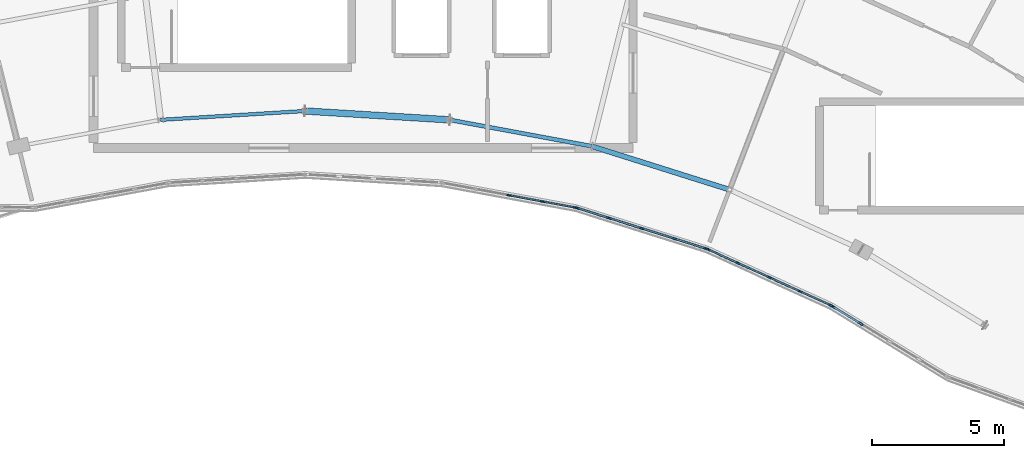
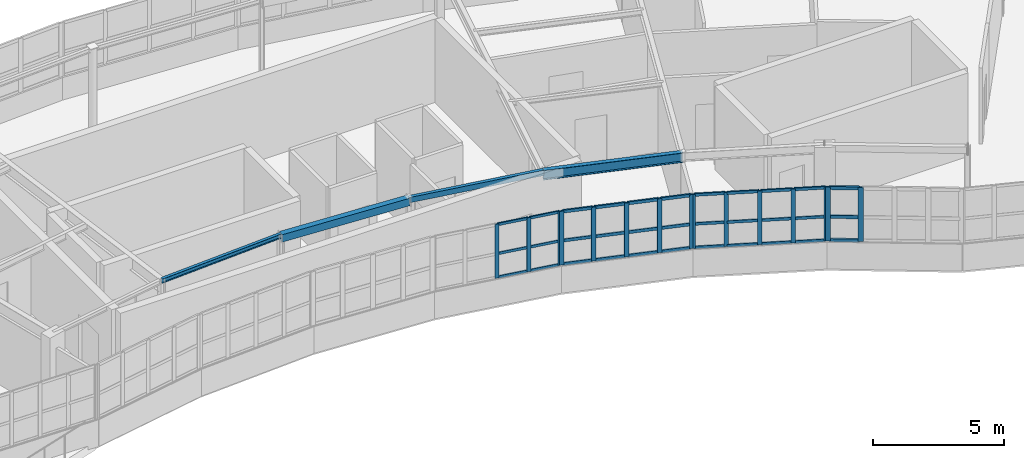
# One storey, part 9 of 26: 48 members, 4 beams, 4 elements without a shape of their own.
"""IFC4 building model written with IfcOpenShell, lengths in metres."""

from ifc_helpers import new_model, si_unit, direction, frame, origin, origin_2d, place, context, subcontext, project, spatial, rectangle, hollow_rectangle, i_section, extrude, material, layer, layer_set, material_profile, profile_set, type_object, element, aggregate, save


model = new_model("IFC4")

# Units and contexts
model_context = context("Model", 3, precision=1e-05, world=origin(), true_north=direction((0.0, 1.0)))
body_context = subcontext(model_context, "Body", "Model", "MODEL_VIEW")
ifc_project = project(units=[si_unit("LENGTHUNIT", "METRE"), si_unit("AREAUNIT", "SQUARE_METRE"), si_unit("VOLUMEUNIT", "CUBIC_METRE"), si_unit("PLANEANGLEUNIT", "RADIAN"), si_unit("MASSUNIT", "GRAM", prefix="KILO")], contexts=[model_context])

# Site, building, storey
site_placement = place(None, origin())
site = spatial("IfcSite", under=ifc_project, at=site_placement, CompositionType="ELEMENT")
building_placement = place(site_placement, origin())
building = spatial("IfcBuilding", under=site, at=building_placement, Name="Tarnwether General Hospital", CompositionType="ELEMENT")
storey_placement = place(building_placement, frame((0.0, 0.0, 30.0)))
storey = spatial("IfcBuildingStorey", under=building, at=storey_placement, Name="L07", CompositionType="ELEMENT", Elevation=30.0)

# Beams
ifc_material_1 = material(Name="Steel Grade 350 (350 MPa)", Category="steel")
ifc_material_profile_1 = material_profile(ifc_material_1, i_section(OverallWidth=0.18994140625, OverallDepth=0.4541015625, WebThickness=0.008544921875, FlangeThickness=0.0126953125, at=origin_2d()), Name="460UB67.1")
ifc_profile_set_1 = profile_set([ifc_material_profile_1], Name="Steel Grade 350 (350 MPa)")
beam_type_1 = type_object("IfcBeamType", Name="BM-SP1", PredefinedType="SPANDREL", material=ifc_profile_set_1)
beam_1_placement = place(storey_placement, frame((102.837890625, 106.468994140625, 3.673095703125), z_axis=(0.953712084488, -0.300721232874, 0.0), x_axis=(0.300721232874, 0.953712084488, 0.0)))
element("IfcBeam", 1, at=beam_1_placement, inside=storey, type_object=beam_type_1, Name="Curved Ward NW Inner Spandrel BMG-L07-10284_10647-10806_10482-2060", PredefinedType="SPANDREL", context=body_context, shape_type="SweptSolid", body=[
    extrude(i_section(OverallWidth=0.18994140625, OverallDepth=0.4541015625, WebThickness=0.008544921875, FlangeThickness=0.0126953125, at=origin_2d()), origin(), (0.0, 0.0, 1.0), 5.47021484375),
])
ifc_material_2 = material(Name="Steel Grade 350 (350 MPa)", Category="steel")
ifc_material_profile_2 = material_profile(ifc_material_2, i_section(OverallWidth=0.133056640625, OverallDepth=0.201904296875, WebThickness=0.0048828125, FlangeThickness=0.007080078125, at=origin_2d()), Name="200UB22.3")
ifc_profile_set_2 = profile_set([ifc_material_profile_2], Name="Steel Grade 350 (350 MPa)")
beam_type_2 = type_object("IfcBeamType", Name="BM-SP6", PredefinedType="SPANDREL", material=ifc_profile_set_2)
beam_2_placement = place(storey_placement, frame((86.5400390625, 107.466064453125, 3.799072265625), z_axis=(0.998134365538, 0.061055616708, 0.0), x_axis=(-0.061055616708, 0.998134365538, 0.0)))
element("IfcBeam", 2, at=beam_2_placement, inside=storey, type_object=beam_type_2, Name="Curved Ward NW Inner Spandrel BMG-L07-8654_10747-9200_10780-2054", PredefinedType="SPANDREL", context=body_context, shape_type="SweptSolid", body=[
    extrude(i_section(OverallWidth=0.133056640625, OverallDepth=0.201904296875, WebThickness=0.0048828125, FlangeThickness=0.007080078125, at=origin_2d()), origin(), (0.0, 0.0, 1.0), 5.47021484375),
])
ifc_material_3 = material(Name="Steel Grade C350L0 (350 MPa)", Category="steel")
ifc_material_profile_3 = material_profile(ifc_material_3, hollow_rectangle(XDim=0.25, YDim=0.35009765625, WallThickness=0.012451171875, at=origin_2d()), Name="RHS350x250x12.5")
ifc_profile_set_3 = profile_set([ifc_material_profile_3], Name="Steel Grade C350L0 (350 MPa)")
beam_type_3 = type_object("IfcBeamType", Name="BM-SP7", PredefinedType="SPANDREL", material=ifc_profile_set_3)
beam_3_placement = place(storey_placement, frame((92.0, 107.800048828125, 3.72509765625), z_axis=(0.998134365538, -0.061055616708, 0.0), x_axis=(0.061055616708, 0.998134365538, 0.0)))
element("IfcBeam", 3, at=beam_3_placement, inside=storey, type_object=beam_type_3, Name="Curved Ward NW Inner Spandrel BMG-L07-9200_10780-9746_10747-2056", PredefinedType="SPANDREL", context=body_context, shape_type="SweptSolid", body=[
    extrude(hollow_rectangle(XDim=0.25, YDim=0.35009765625, WallThickness=0.012451171875, at=origin_2d()), origin(), (0.0, 0.0, 1.0), 5.47021484375),
])
ifc_material_4 = material(Name="Steel Grade C350L0 (350 MPa)", Category="steel")
ifc_material_profile_4 = material_profile(ifc_material_4, hollow_rectangle(XDim=0.14990234375, YDim=0.25, WallThickness=0.008056640625, at=origin_2d()), Name="RHS250x150x8")
ifc_profile_set_4 = profile_set([ifc_material_profile_4], Name="Steel Grade C350L0 (350 MPa)")
beam_type_4 = type_object("IfcBeamType", Name="BM-SP8", PredefinedType="SPANDREL", material=ifc_profile_set_4)
beam_4_placement = place(storey_placement, frame((97.4599609375, 107.466064453125, 3.77490234375), z_axis=(0.983244096291, -0.18229384825, 0.0), x_axis=(0.18229384825, 0.983244096291, 0.0)))
element("IfcBeam", 4, at=beam_4_placement, inside=storey, type_object=beam_type_4, Name="Curved Ward NW Inner Spandrel BMG-L07-9746_10747-10284_10647-2058", PredefinedType="SPANDREL", context=body_context, shape_type="SweptSolid", body=[
    extrude(hollow_rectangle(XDim=0.14990234375, YDim=0.25, WallThickness=0.008056640625, at=origin_2d()), origin(), (0.0, 0.0, 1.0), 5.469482421875),
])

# Curtain wall, members
ifc_material_5 = material(Name="Anodised aluminium", Category="aluminium")
ifc_layer = layer(ifc_material_5, 0.159912109375)
ifc_layer_set = layer_set([ifc_layer], Name="Anodised aluminium")
curtain_wall_type = type_object("IfcCurtainWallType", Name="CW-03", PredefinedType="NOTDEFINED", material=ifc_layer_set)
curtain_wall_1_placement = place(storey_placement, origin())
curtain_wall_1 = element("IfcCurtainWall", 5, at=curtain_wall_1_placement, inside=storey, type_object=curtain_wall_type, Name="Curtain Wall CWG-L07-1023_1041-0136", PredefinedType="NOTDEFINED")
ifc_material_6 = material(Name="Anodised aluminium", Category="aluminium")
ifc_material_profile_5 = material_profile(ifc_material_6, rectangle(XDim=0.06005859375, YDim=0.159912109375, at=origin_2d()), Name="ALU-MUL-60x160")
ifc_profile_set_5 = profile_set([ifc_material_profile_5], Name="Anodised aluminium")
member_type_1 = type_object("IfcMemberType", Name="CW-ML1", PredefinedType="MULLION", material=ifc_profile_set_5)
member_1_placement = place(storey_placement, frame((102.2275390625, 104.146484375, 1.050048828125), z_axis=(0.0, 0.0, 1.0), x_axis=(-0.182165351666, -0.983267910924, 0.0)))
member_1 = element("IfcMember", 6, at=member_1_placement, type_object=member_type_1, Name="CW-03 mullion 1", PredefinedType="MULLION", context=body_context, shape_type="SweptSolid", body=[
    extrude(rectangle(XDim=0.06005859375, YDim=0.159912109375, at=origin_2d()), origin(), (0.0, 0.0, 1.0), 2.52001953125),
])
member_2_placement = place(storey_placement, frame((100.984619140625, 104.376708984375, 1.050048828125), z_axis=(0.0, 0.0, 1.0), x_axis=(-0.182165351666, -0.983267910924, 0.0)))
member_2 = element("IfcMember", 7, at=member_2_placement, type_object=member_type_1, Name="CW-03 mullion 2", PredefinedType="MULLION", context=body_context, shape_type="SweptSolid", body=[
    extrude(rectangle(XDim=0.06005859375, YDim=0.159912109375, at=origin_2d()), origin(), (0.0, 0.0, 1.0), 2.52001953125),
])
member_3_placement = place(storey_placement, frame((99.7119140625, 104.612548828125, 1.050048828125), z_axis=(0.0, 0.0, 1.0), x_axis=(-0.182165351666, -0.983267910924, 0.0)))
member_3 = element("IfcMember", 8, at=member_3_placement, type_object=member_type_1, Name="CW-03 mullion 3", PredefinedType="MULLION", context=body_context, shape_type="SweptSolid", body=[
    extrude(rectangle(XDim=0.06005859375, YDim=0.159912109375, at=origin_2d()), origin(), (0.0, 0.0, 1.0), 2.52001953125),
])

curtain_wall_2_placement = place(storey_placement, origin())
curtain_wall_2 = element("IfcCurtainWall", 9, at=curtain_wall_2_placement, inside=storey, type_object=curtain_wall_type, Name="Curtain Wall CWG-L07-1072_1026-0137", PredefinedType="NOTDEFINED")
ifc_material_7 = material(Name="Anodised aluminium", Category="aluminium")
ifc_material_profile_6 = material_profile(ifc_material_7, rectangle(XDim=0.070068359375, YDim=0.179931640625, at=origin_2d()), Name="ALU-MUL-70x180")
ifc_profile_set_6 = profile_set([ifc_material_profile_6], Name="Anodised aluminium")
member_type_2 = type_object("IfcMemberType", Name="CW-ML2", PredefinedType="MULLION", material=ifc_profile_set_6)
member_4_placement = place(storey_placement, frame((107.16162109375, 102.594482421875, 1.050048828125), z_axis=(0.0, 0.0, 1.0), x_axis=(-0.30071538783, -0.953713927508, 0.0)))
member_4 = element("IfcMember", 10, at=member_4_placement, type_object=member_type_2, Name="CW-03 mullion 1", PredefinedType="MULLION", context=body_context, shape_type="SweptSolid", body=[
    extrude(rectangle(XDim=0.070068359375, YDim=0.179931640625, at=origin_2d()), origin(), (0.0, 0.0, 1.0), 2.52001953125),
])
member_5_placement = place(storey_placement, frame((105.96044921875, 102.97314453125, 1.050048828125), z_axis=(0.0, 0.0, 1.0), x_axis=(-0.30071538783, -0.953713927508, 0.0)))
member_5 = element("IfcMember", 11, at=member_5_placement, type_object=member_type_2, Name="CW-03 mullion 2", PredefinedType="MULLION", context=body_context, shape_type="SweptSolid", body=[
    extrude(rectangle(XDim=0.070068359375, YDim=0.179931640625, at=origin_2d()), origin(), (0.0, 0.0, 1.0), 2.52001953125),
])
member_6_placement = place(storey_placement, frame((104.72607421875, 103.362548828125, 1.050048828125), z_axis=(0.0, 0.0, 1.0), x_axis=(-0.30071538783, -0.953713927508, 0.0)))
member_6 = element("IfcMember", 12, at=member_6_placement, type_object=member_type_2, Name="CW-03 mullion 3", PredefinedType="MULLION", context=body_context, shape_type="SweptSolid", body=[
    extrude(rectangle(XDim=0.070068359375, YDim=0.179931640625, at=origin_2d()), origin(), (0.0, 0.0, 1.0), 2.52001953125),
])
member_7_placement = place(storey_placement, frame((103.491455078125, 103.751708984375, 1.050048828125), z_axis=(0.0, 0.0, 1.0), x_axis=(-0.30071538783, -0.953713927508, 0.0)))
member_7 = element("IfcMember", 13, at=member_7_placement, type_object=member_type_2, Name="CW-03 mullion 4", PredefinedType="MULLION", context=body_context, shape_type="SweptSolid", body=[
    extrude(rectangle(XDim=0.070068359375, YDim=0.179931640625, at=origin_2d()), origin(), (0.0, 0.0, 1.0), 2.52001953125),
])
member_8_placement = place(storey_placement, frame((102.290283203125, 104.13037109375, 1.050048828125), z_axis=(0.0, 0.0, 1.0), x_axis=(-0.30071538783, -0.953713927508, 0.0)))
member_8 = element("IfcMember", 14, at=member_8_placement, type_object=member_type_2, Name="CW-03 mullion 5", PredefinedType="MULLION", context=body_context, shape_type="SweptSolid", body=[
    extrude(rectangle(XDim=0.070068359375, YDim=0.179931640625, at=origin_2d()), origin(), (0.0, 0.0, 1.0), 2.52001953125),
])

curtain_wall_3_placement = place(storey_placement, origin())
curtain_wall_3 = element("IfcCurtainWall", 15, at=curtain_wall_3_placement, inside=storey, type_object=curtain_wall_type, Name="Curtain Wall CWG-L07-1119_1004-0138", PredefinedType="NOTDEFINED")
ifc_material_8 = material(Name="Anodised aluminium", Category="aluminium")
ifc_material_profile_7 = material_profile(ifc_material_8, rectangle(XDim=0.06494140625, YDim=0.169921875, at=origin_2d()), Name="ALU-MUL-65x170")
ifc_profile_set_7 = profile_set([ifc_material_profile_7], Name="Anodised aluminium")
member_type_3 = type_object("IfcMemberType", Name="CW-ML3", PredefinedType="MULLION", material=ifc_profile_set_7)
member_9_placement = place(storey_placement, frame((111.87646484375, 100.450439453125, 1.050048828125), z_axis=(0.0, 0.0, 1.0), x_axis=(-0.41470501572, -0.90995590549, 0.0)))
member_9 = element("IfcMember", 16, at=member_9_placement, type_object=member_type_3, Name="CW-03 mullion 1", PredefinedType="MULLION", context=body_context, shape_type="SweptSolid", body=[
    extrude(rectangle(XDim=0.06494140625, YDim=0.169921875, at=origin_2d()), origin(), (0.0, 0.0, 1.0), 2.52001953125),
])
member_10_placement = place(storey_placement, frame((110.728271484375, 100.9736328125, 1.050048828125), z_axis=(0.0, 0.0, 1.0), x_axis=(-0.41470501572, -0.90995590549, 0.0)))
member_10 = element("IfcMember", 17, at=member_10_placement, type_object=member_type_3, Name="CW-03 mullion 2", PredefinedType="MULLION", context=body_context, shape_type="SweptSolid", body=[
    extrude(rectangle(XDim=0.06494140625, YDim=0.169921875, at=origin_2d()), origin(), (0.0, 0.0, 1.0), 2.52001953125),
])
member_11_placement = place(storey_placement, frame((109.550537109375, 101.510498046875, 1.050048828125), z_axis=(0.0, 0.0, 1.0), x_axis=(-0.41470501572, -0.90995590549, 0.0)))
member_11 = element("IfcMember", 18, at=member_11_placement, type_object=member_type_3, Name="CW-03 mullion 3", PredefinedType="MULLION", context=body_context, shape_type="SweptSolid", body=[
    extrude(rectangle(XDim=0.06494140625, YDim=0.169921875, at=origin_2d()), origin(), (0.0, 0.0, 1.0), 2.52001953125),
])
member_12_placement = place(storey_placement, frame((108.372802734375, 102.04736328125, 1.050048828125), z_axis=(0.0, 0.0, 1.0), x_axis=(-0.41470501572, -0.90995590549, 0.0)))
member_12 = element("IfcMember", 19, at=member_12_placement, type_object=member_type_3, Name="CW-03 mullion 4", PredefinedType="MULLION", context=body_context, shape_type="SweptSolid", body=[
    extrude(rectangle(XDim=0.06494140625, YDim=0.169921875, at=origin_2d()), origin(), (0.0, 0.0, 1.0), 2.52001953125),
])
member_13_placement = place(storey_placement, frame((107.224609375, 102.570556640625, 1.050048828125), z_axis=(0.0, 0.0, 1.0), x_axis=(-0.41470501572, -0.90995590549, 0.0)))
member_13 = element("IfcMember", 20, at=member_13_placement, type_object=member_type_3, Name="CW-03 mullion 5", PredefinedType="MULLION", context=body_context, shape_type="SweptSolid", body=[
    extrude(rectangle(XDim=0.06494140625, YDim=0.169921875, at=origin_2d()), origin(), (0.0, 0.0, 1.0), 2.52001953125),
])

curtain_wall_4_placement = place(storey_placement, origin())
curtain_wall_4 = element("IfcCurtainWall", 21, at=curtain_wall_4_placement, inside=storey, type_object=curtain_wall_type, Name="Curtain Wall CWG-L07-1163_977-0139", PredefinedType="NOTDEFINED")
ifc_material_9 = material(Name="Anodised aluminium", Category="aluminium")
ifc_material_profile_8 = material_profile(ifc_material_9, rectangle(XDim=0.080078125, YDim=0.199951171875, at=origin_2d()), Name="ALU-MUL-80x200")
ifc_profile_set_8 = profile_set([ifc_material_profile_8], Name="Anodised aluminium")
member_type_4 = type_object("IfcMemberType", Name="CW-ML4", PredefinedType="MULLION", material=ifc_profile_set_8)
member_14_placement = place(storey_placement, frame((113.009521484375, 99.7607421875, 1.050048828125), z_axis=(0.0, 0.0, 1.0), x_axis=(-0.522512231483, -0.852631789198, 0.0)))
member_14 = element("IfcMember", 22, at=member_14_placement, type_object=member_type_4, Name="CW-03 mullion 4", PredefinedType="MULLION", context=body_context, shape_type="SweptSolid", body=[
    extrude(rectangle(XDim=0.080078125, YDim=0.199951171875, at=origin_2d()), origin(), (0.0, 0.0, 1.0), 2.52001953125),
])
member_15_placement = place(storey_placement, frame((111.940185546875, 100.416015625, 1.050048828125), z_axis=(0.0, 0.0, 1.0), x_axis=(-0.522512231483, -0.852631789198, 0.0)))
member_15 = element("IfcMember", 23, at=member_15_placement, type_object=member_type_4, Name="CW-03 mullion 5", PredefinedType="MULLION", context=body_context, shape_type="SweptSolid", body=[
    extrude(rectangle(XDim=0.080078125, YDim=0.199951171875, at=origin_2d()), origin(), (0.0, 0.0, 1.0), 2.52001953125),
])

# Member
ifc_material_10 = material(Name="Anodised aluminium", Category="aluminium")
ifc_material_profile_9 = material_profile(ifc_material_10, rectangle(XDim=0.06005859375, YDim=0.1201171875, at=origin_2d()), Name="ALU-TRN-60x120")
ifc_profile_set_9 = profile_set([ifc_material_profile_9], Name="Anodised aluminium")
member_type_5 = type_object("IfcMemberType", Name="CW-TR1", PredefinedType="USERDEFINED", material=ifc_profile_set_9)
member_16_placement = place(storey_placement, frame((102.197998046875, 104.15185546875, 1.080078125), z_axis=(-0.983251070117, 0.182256229286, 0.0), x_axis=(-0.182256229286, -0.983251070117, 0.0)))
member_16 = element("IfcMember", 24, at=member_16_placement, type_object=member_type_5, Name="CW-03 transom 1.1", ObjectType="TRANSOM", PredefinedType="USERDEFINED", context=body_context, shape_type="SweptSolid", body=[
    extrude(rectangle(XDim=0.06005859375, YDim=0.1201171875, at=origin_2d()), origin(), (0.0, 0.0, 1.0), 1.204345703125),
])

member_17_placement = place(storey_placement, frame((102.197998046875, 104.15185546875, 2.18408203125), z_axis=(-0.983251070117, 0.182256229286, 0.0), x_axis=(-0.182256229286, -0.983251070117, 0.0)))
member_17 = element("IfcMember", 25, at=member_17_placement, type_object=member_type_5, Name="CW-03 transom 1.2", ObjectType="TRANSOM", PredefinedType="USERDEFINED", context=body_context, shape_type="SweptSolid", body=[
    extrude(rectangle(XDim=0.06005859375, YDim=0.1201171875, at=origin_2d()), origin(), (0.0, 0.0, 1.0), 1.204345703125),
])

member_18_placement = place(storey_placement, frame((102.197998046875, 104.15185546875, 3.5400390625), z_axis=(-0.983251070117, 0.182256229286, 0.0), x_axis=(-0.182256229286, -0.983251070117, 0.0)))
member_18 = element("IfcMember", 26, at=member_18_placement, type_object=member_type_5, Name="CW-03 transom 1.3", ObjectType="TRANSOM", PredefinedType="USERDEFINED", context=body_context, shape_type="SweptSolid", body=[
    extrude(rectangle(XDim=0.06005859375, YDim=0.1201171875, at=origin_2d()), origin(), (0.0, 0.0, 1.0), 1.204345703125),
])

member_19_placement = place(storey_placement, frame((100.955078125, 104.38232421875, 1.080078125), z_axis=(-0.983301675068, 0.181983009669, 0.0), x_axis=(-0.181983009669, -0.983301675068, 0.0)))
member_19 = element("IfcMember", 27, at=member_19_placement, type_object=member_type_5, Name="CW-03 transom 2.1", ObjectType="TRANSOM", PredefinedType="USERDEFINED", context=body_context, shape_type="SweptSolid", body=[
    extrude(rectangle(XDim=0.06005859375, YDim=0.1201171875, at=origin_2d()), origin(), (0.0, 0.0, 1.0), 1.234130859375),
])

member_20_placement = place(storey_placement, frame((100.955078125, 104.38232421875, 2.18408203125), z_axis=(-0.983301675068, 0.181983009669, 0.0), x_axis=(-0.181983009669, -0.983301675068, 0.0)))
member_20 = element("IfcMember", 28, at=member_20_placement, type_object=member_type_5, Name="CW-03 transom 2.2", ObjectType="TRANSOM", PredefinedType="USERDEFINED", context=body_context, shape_type="SweptSolid", body=[
    extrude(rectangle(XDim=0.06005859375, YDim=0.1201171875, at=origin_2d()), origin(), (0.0, 0.0, 1.0), 1.234130859375),
])

member_21_placement = place(storey_placement, frame((100.955078125, 104.38232421875, 3.5400390625), z_axis=(-0.983301675068, 0.181983009669, 0.0), x_axis=(-0.181983009669, -0.983301675068, 0.0)))
member_21 = element("IfcMember", 29, at=member_21_placement, type_object=member_type_5, Name="CW-03 transom 2.3", ObjectType="TRANSOM", PredefinedType="USERDEFINED", context=body_context, shape_type="SweptSolid", body=[
    extrude(rectangle(XDim=0.06005859375, YDim=0.1201171875, at=origin_2d()), origin(), (0.0, 0.0, 1.0), 1.234130859375),
])

aggregate(curtain_wall_1, [member_1, member_2, member_3, member_16, member_17, member_18, member_19, member_20, member_21])

ifc_material_11 = material(Name="Anodised aluminium", Category="aluminium")
ifc_material_profile_10 = material_profile(ifc_material_11, rectangle(XDim=0.070068359375, YDim=0.139892578125, at=origin_2d()), Name="ALU-TRN-70x140")
ifc_profile_set_10 = profile_set([ifc_material_profile_10], Name="Anodised aluminium")
member_type_6 = type_object("IfcMemberType", Name="CW-TR2", PredefinedType="USERDEFINED", material=ifc_profile_set_10)
member_22_placement = place(storey_placement, frame((107.128173828125, 102.60498046875, 1.0849609375), z_axis=(-0.953709778458, 0.300728546156, 0.0), x_axis=(-0.300728546156, -0.953709778458, 0.0)))
member_22 = element("IfcMember", 30, at=member_22_placement, type_object=member_type_6, Name="CW-03 transom 1.1", ObjectType="TRANSOM", PredefinedType="USERDEFINED", context=body_context, shape_type="SweptSolid", body=[
    extrude(rectangle(XDim=0.070068359375, YDim=0.139892578125, at=origin_2d()), origin(), (0.0, 0.0, 1.0), 1.189453125),
])

member_23_placement = place(storey_placement, frame((107.128173828125, 102.60498046875, 2.18408203125), z_axis=(-0.953709778458, 0.300728546156, 0.0), x_axis=(-0.300728546156, -0.953709778458, 0.0)))
member_23 = element("IfcMember", 31, at=member_23_placement, type_object=member_type_6, Name="CW-03 transom 1.2", ObjectType="TRANSOM", PredefinedType="USERDEFINED", context=body_context, shape_type="SweptSolid", body=[
    extrude(rectangle(XDim=0.070068359375, YDim=0.139892578125, at=origin_2d()), origin(), (0.0, 0.0, 1.0), 1.189453125),
])

member_24_placement = place(storey_placement, frame((107.128173828125, 102.60498046875, 3.534912109375), z_axis=(-0.953709778458, 0.300728546156, 0.0), x_axis=(-0.300728546156, -0.953709778458, 0.0)))
member_24 = element("IfcMember", 32, at=member_24_placement, type_object=member_type_6, Name="CW-03 transom 1.3", ObjectType="TRANSOM", PredefinedType="USERDEFINED", context=body_context, shape_type="SweptSolid", body=[
    extrude(rectangle(XDim=0.070068359375, YDim=0.139892578125, at=origin_2d()), origin(), (0.0, 0.0, 1.0), 1.189453125),
])

member_25_placement = place(storey_placement, frame((105.927001953125, 102.98388671875, 1.0849609375), z_axis=(-0.953721188476, 0.300692358817, 0.0), x_axis=(-0.300692358817, -0.953721188476, 0.0)))
member_25 = element("IfcMember", 33, at=member_25_placement, type_object=member_type_6, Name="CW-03 transom 2.1", ObjectType="TRANSOM", PredefinedType="USERDEFINED", context=body_context, shape_type="SweptSolid", body=[
    extrude(rectangle(XDim=0.070068359375, YDim=0.139892578125, at=origin_2d()), origin(), (0.0, 0.0, 1.0), 1.224365234375),
])

member_26_placement = place(storey_placement, frame((105.927001953125, 102.98388671875, 2.18408203125), z_axis=(-0.953721188476, 0.300692358817, 0.0), x_axis=(-0.300692358817, -0.953721188476, 0.0)))
member_26 = element("IfcMember", 34, at=member_26_placement, type_object=member_type_6, Name="CW-03 transom 2.2", ObjectType="TRANSOM", PredefinedType="USERDEFINED", context=body_context, shape_type="SweptSolid", body=[
    extrude(rectangle(XDim=0.070068359375, YDim=0.139892578125, at=origin_2d()), origin(), (0.0, 0.0, 1.0), 1.224365234375),
])

member_27_placement = place(storey_placement, frame((105.927001953125, 102.98388671875, 3.534912109375), z_axis=(-0.953721188476, 0.300692358817, 0.0), x_axis=(-0.300692358817, -0.953721188476, 0.0)))
member_27 = element("IfcMember", 35, at=member_27_placement, type_object=member_type_6, Name="CW-03 transom 2.3", ObjectType="TRANSOM", PredefinedType="USERDEFINED", context=body_context, shape_type="SweptSolid", body=[
    extrude(rectangle(XDim=0.070068359375, YDim=0.139892578125, at=origin_2d()), origin(), (0.0, 0.0, 1.0), 1.224365234375),
])

member_28_placement = place(storey_placement, frame((104.692626953125, 103.373046875, 1.0849609375), z_axis=(-0.953721188476, 0.300692358817, 0.0), x_axis=(-0.300692358817, -0.953721188476, 0.0)))
member_28 = element("IfcMember", 36, at=member_28_placement, type_object=member_type_6, Name="CW-03 transom 3.1", ObjectType="TRANSOM", PredefinedType="USERDEFINED", context=body_context, shape_type="SweptSolid", body=[
    extrude(rectangle(XDim=0.070068359375, YDim=0.139892578125, at=origin_2d()), origin(), (0.0, 0.0, 1.0), 1.224365234375),
])

member_29_placement = place(storey_placement, frame((104.692626953125, 103.373046875, 2.18408203125), z_axis=(-0.953721188476, 0.300692358817, 0.0), x_axis=(-0.300692358817, -0.953721188476, 0.0)))
member_29 = element("IfcMember", 37, at=member_29_placement, type_object=member_type_6, Name="CW-03 transom 3.2", ObjectType="TRANSOM", PredefinedType="USERDEFINED", context=body_context, shape_type="SweptSolid", body=[
    extrude(rectangle(XDim=0.070068359375, YDim=0.139892578125, at=origin_2d()), origin(), (0.0, 0.0, 1.0), 1.224365234375),
])

member_30_placement = place(storey_placement, frame((104.692626953125, 103.373046875, 3.534912109375), z_axis=(-0.953721188476, 0.300692358817, 0.0), x_axis=(-0.300692358817, -0.953721188476, 0.0)))
member_30 = element("IfcMember", 38, at=member_30_placement, type_object=member_type_6, Name="CW-03 transom 3.3", ObjectType="TRANSOM", PredefinedType="USERDEFINED", context=body_context, shape_type="SweptSolid", body=[
    extrude(rectangle(XDim=0.070068359375, YDim=0.139892578125, at=origin_2d()), origin(), (0.0, 0.0, 1.0), 1.224365234375),
])

member_31_placement = place(storey_placement, frame((103.4580078125, 103.76220703125, 1.0849609375), z_axis=(-0.953709778458, 0.300728546156, 0.0), x_axis=(-0.300728546156, -0.953709778458, 0.0)))
member_31 = element("IfcMember", 39, at=member_31_placement, type_object=member_type_6, Name="CW-03 transom 4.1", ObjectType="TRANSOM", PredefinedType="USERDEFINED", context=body_context, shape_type="SweptSolid", body=[
    extrude(rectangle(XDim=0.070068359375, YDim=0.139892578125, at=origin_2d()), origin(), (0.0, 0.0, 1.0), 1.189453125),
])

member_32_placement = place(storey_placement, frame((103.4580078125, 103.76220703125, 2.18408203125), z_axis=(-0.953709778458, 0.300728546156, 0.0), x_axis=(-0.300728546156, -0.953709778458, 0.0)))
member_32 = element("IfcMember", 40, at=member_32_placement, type_object=member_type_6, Name="CW-03 transom 4.2", ObjectType="TRANSOM", PredefinedType="USERDEFINED", context=body_context, shape_type="SweptSolid", body=[
    extrude(rectangle(XDim=0.070068359375, YDim=0.139892578125, at=origin_2d()), origin(), (0.0, 0.0, 1.0), 1.189453125),
])

member_33_placement = place(storey_placement, frame((103.4580078125, 103.76220703125, 3.534912109375), z_axis=(-0.953709778458, 0.300728546156, 0.0), x_axis=(-0.300728546156, -0.953709778458, 0.0)))
member_33 = element("IfcMember", 41, at=member_33_placement, type_object=member_type_6, Name="CW-03 transom 4.3", ObjectType="TRANSOM", PredefinedType="USERDEFINED", context=body_context, shape_type="SweptSolid", body=[
    extrude(rectangle(XDim=0.070068359375, YDim=0.139892578125, at=origin_2d()), origin(), (0.0, 0.0, 1.0), 1.189453125),
])

aggregate(curtain_wall_2, [member_4, member_5, member_6, member_7, member_8, member_22, member_23, member_24, member_25, member_26, member_27, member_28, member_29, member_30, member_31, member_32, member_33])

ifc_material_12 = material(Name="Anodised aluminium", Category="aluminium")
ifc_material_profile_11 = material_profile(ifc_material_12, rectangle(XDim=0.06494140625, YDim=0.1298828125, at=origin_2d()), Name="ALU-TRN-65x130")
ifc_profile_set_11 = profile_set([ifc_material_profile_11], Name="Anodised aluminium")
member_type_7 = type_object("IfcMemberType", Name="CW-TR3", PredefinedType="USERDEFINED", material=ifc_profile_set_11)
member_34_placement = place(storey_placement, frame((111.846923828125, 100.4638671875, 1.08251953125), z_axis=(-0.909960872611, 0.41469411657, 0.0), x_axis=(-0.41469411657, -0.909960872611, 0.0)))
member_34 = element("IfcMember", 42, at=member_34_placement, type_object=member_type_7, Name="CW-03 transom 1.1", ObjectType="TRANSOM", PredefinedType="USERDEFINED", context=body_context, shape_type="SweptSolid", body=[
    extrude(rectangle(XDim=0.06494140625, YDim=0.1298828125, at=origin_2d()), origin(), (0.0, 0.0, 1.0), 1.19677734375),
])

member_35_placement = place(storey_placement, frame((111.846923828125, 100.4638671875, 2.18408203125), z_axis=(-0.909960872611, 0.41469411657, 0.0), x_axis=(-0.41469411657, -0.909960872611, 0.0)))
member_35 = element("IfcMember", 43, at=member_35_placement, type_object=member_type_7, Name="CW-03 transom 1.2", ObjectType="TRANSOM", PredefinedType="USERDEFINED", context=body_context, shape_type="SweptSolid", body=[
    extrude(rectangle(XDim=0.06494140625, YDim=0.1298828125, at=origin_2d()), origin(), (0.0, 0.0, 1.0), 1.19677734375),
])

member_36_placement = place(storey_placement, frame((111.846923828125, 100.4638671875, 3.53759765625), z_axis=(-0.909960872611, 0.41469411657, 0.0), x_axis=(-0.41469411657, -0.909960872611, 0.0)))
member_36 = element("IfcMember", 44, at=member_36_placement, type_object=member_type_7, Name="CW-03 transom 1.3", ObjectType="TRANSOM", PredefinedType="USERDEFINED", context=body_context, shape_type="SweptSolid", body=[
    extrude(rectangle(XDim=0.06494140625, YDim=0.1298828125, at=origin_2d()), origin(), (0.0, 0.0, 1.0), 1.19677734375),
])

member_37_placement = place(storey_placement, frame((110.69873046875, 100.9873046875, 1.08251953125), z_axis=(-0.909971590259, 0.414670598092, 0.0), x_axis=(-0.414670598092, -0.909971590259, 0.0)))
member_37 = element("IfcMember", 45, at=member_37_placement, type_object=member_type_7, Name="CW-03 transom 2.1", ObjectType="TRANSOM", PredefinedType="USERDEFINED", context=body_context, shape_type="SweptSolid", body=[
    extrude(rectangle(XDim=0.06494140625, YDim=0.1298828125, at=origin_2d()), origin(), (0.0, 0.0, 1.0), 1.229248046875),
])

member_38_placement = place(storey_placement, frame((110.69873046875, 100.9873046875, 2.18408203125), z_axis=(-0.909971590259, 0.414670598092, 0.0), x_axis=(-0.414670598092, -0.909971590259, 0.0)))
member_38 = element("IfcMember", 46, at=member_38_placement, type_object=member_type_7, Name="CW-03 transom 2.2", ObjectType="TRANSOM", PredefinedType="USERDEFINED", context=body_context, shape_type="SweptSolid", body=[
    extrude(rectangle(XDim=0.06494140625, YDim=0.1298828125, at=origin_2d()), origin(), (0.0, 0.0, 1.0), 1.229248046875),
])

member_39_placement = place(storey_placement, frame((110.69873046875, 100.9873046875, 3.53759765625), z_axis=(-0.909971590259, 0.414670598092, 0.0), x_axis=(-0.414670598092, -0.909971590259, 0.0)))
member_39 = element("IfcMember", 47, at=member_39_placement, type_object=member_type_7, Name="CW-03 transom 2.3", ObjectType="TRANSOM", PredefinedType="USERDEFINED", context=body_context, shape_type="SweptSolid", body=[
    extrude(rectangle(XDim=0.06494140625, YDim=0.1298828125, at=origin_2d()), origin(), (0.0, 0.0, 1.0), 1.229248046875),
])

member_40_placement = place(storey_placement, frame((109.52099609375, 101.52392578125, 1.08251953125), z_axis=(-0.909971590259, 0.414670598092, 0.0), x_axis=(-0.414670598092, -0.909971590259, 0.0)))
member_40 = element("IfcMember", 48, at=member_40_placement, type_object=member_type_7, Name="CW-03 transom 3.1", ObjectType="TRANSOM", PredefinedType="USERDEFINED", context=body_context, shape_type="SweptSolid", body=[
    extrude(rectangle(XDim=0.06494140625, YDim=0.1298828125, at=origin_2d()), origin(), (0.0, 0.0, 1.0), 1.229248046875),
])

member_41_placement = place(storey_placement, frame((109.52099609375, 101.52392578125, 2.18408203125), z_axis=(-0.909971590259, 0.414670598092, 0.0), x_axis=(-0.414670598092, -0.909971590259, 0.0)))
member_41 = element("IfcMember", 49, at=member_41_placement, type_object=member_type_7, Name="CW-03 transom 3.2", ObjectType="TRANSOM", PredefinedType="USERDEFINED", context=body_context, shape_type="SweptSolid", body=[
    extrude(rectangle(XDim=0.06494140625, YDim=0.1298828125, at=origin_2d()), origin(), (0.0, 0.0, 1.0), 1.229248046875),
])

member_42_placement = place(storey_placement, frame((109.52099609375, 101.52392578125, 3.53759765625), z_axis=(-0.909971590259, 0.414670598092, 0.0), x_axis=(-0.414670598092, -0.909971590259, 0.0)))
member_42 = element("IfcMember", 50, at=member_42_placement, type_object=member_type_7, Name="CW-03 transom 3.3", ObjectType="TRANSOM", PredefinedType="USERDEFINED", context=body_context, shape_type="SweptSolid", body=[
    extrude(rectangle(XDim=0.06494140625, YDim=0.1298828125, at=origin_2d()), origin(), (0.0, 0.0, 1.0), 1.229248046875),
])

member_43_placement = place(storey_placement, frame((108.34326171875, 102.060791015625, 1.08251953125), z_axis=(-0.909960872611, 0.41469411657, 0.0), x_axis=(-0.41469411657, -0.909960872611, 0.0)))
member_43 = element("IfcMember", 51, at=member_43_placement, type_object=member_type_7, Name="CW-03 transom 4.1", ObjectType="TRANSOM", PredefinedType="USERDEFINED", context=body_context, shape_type="SweptSolid", body=[
    extrude(rectangle(XDim=0.06494140625, YDim=0.1298828125, at=origin_2d()), origin(), (0.0, 0.0, 1.0), 1.19677734375),
])

member_44_placement = place(storey_placement, frame((108.34326171875, 102.060791015625, 2.18408203125), z_axis=(-0.909960872611, 0.41469411657, 0.0), x_axis=(-0.41469411657, -0.909960872611, 0.0)))
member_44 = element("IfcMember", 52, at=member_44_placement, type_object=member_type_7, Name="CW-03 transom 4.2", ObjectType="TRANSOM", PredefinedType="USERDEFINED", context=body_context, shape_type="SweptSolid", body=[
    extrude(rectangle(XDim=0.06494140625, YDim=0.1298828125, at=origin_2d()), origin(), (0.0, 0.0, 1.0), 1.19677734375),
])

member_45_placement = place(storey_placement, frame((108.34326171875, 102.060791015625, 3.53759765625), z_axis=(-0.909960872611, 0.41469411657, 0.0), x_axis=(-0.41469411657, -0.909960872611, 0.0)))
member_45 = element("IfcMember", 53, at=member_45_placement, type_object=member_type_7, Name="CW-03 transom 4.3", ObjectType="TRANSOM", PredefinedType="USERDEFINED", context=body_context, shape_type="SweptSolid", body=[
    extrude(rectangle(XDim=0.06494140625, YDim=0.1298828125, at=origin_2d()), origin(), (0.0, 0.0, 1.0), 1.19677734375),
])

aggregate(curtain_wall_3, [member_9, member_10, member_11, member_12, member_13, member_34, member_35, member_36, member_37, member_38, member_39, member_40, member_41, member_42, member_43, member_44, member_45])

ifc_material_13 = material(Name="Anodised aluminium", Category="aluminium")
ifc_material_profile_12 = material_profile(ifc_material_13, rectangle(XDim=0.080078125, YDim=0.14990234375, at=origin_2d()), Name="ALU-TRN-80x150")
ifc_profile_set_12 = profile_set([ifc_material_profile_12], Name="Anodised aluminium")
member_type_8 = type_object("IfcMemberType", Name="CW-TR4", PredefinedType="USERDEFINED", material=ifc_profile_set_12)
member_46_placement = place(storey_placement, frame((112.975341796875, 99.78173828125, 1.090087890625), z_axis=(-0.852649059275, 0.522484049246, 0.0), x_axis=(-0.522484049246, -0.852649059275, 0.0)))
member_46 = element("IfcMember", 54, at=member_46_placement, type_object=member_type_8, Name="CW-03 transom 4.1", ObjectType="TRANSOM", PredefinedType="USERDEFINED", context=body_context, shape_type="SweptSolid", body=[
    extrude(rectangle(XDim=0.080078125, YDim=0.14990234375, at=origin_2d()), origin(), (0.0, 0.0, 1.0), 1.17431640625),
])

member_47_placement = place(storey_placement, frame((112.975341796875, 99.78173828125, 2.18408203125), z_axis=(-0.852649059275, 0.522484049246, 0.0), x_axis=(-0.522484049246, -0.852649059275, 0.0)))
member_47 = element("IfcMember", 55, at=member_47_placement, type_object=member_type_8, Name="CW-03 transom 4.2", ObjectType="TRANSOM", PredefinedType="USERDEFINED", context=body_context, shape_type="SweptSolid", body=[
    extrude(rectangle(XDim=0.080078125, YDim=0.14990234375, at=origin_2d()), origin(), (0.0, 0.0, 1.0), 1.17431640625),
])

member_48_placement = place(storey_placement, frame((112.975341796875, 99.78173828125, 3.530029296875), z_axis=(-0.852649059275, 0.522484049246, 0.0), x_axis=(-0.522484049246, -0.852649059275, 0.0)))
member_48 = element("IfcMember", 56, at=member_48_placement, type_object=member_type_8, Name="CW-03 transom 4.3", ObjectType="TRANSOM", PredefinedType="USERDEFINED", context=body_context, shape_type="SweptSolid", body=[
    extrude(rectangle(XDim=0.080078125, YDim=0.14990234375, at=origin_2d()), origin(), (0.0, 0.0, 1.0), 1.17431640625),
])

aggregate(curtain_wall_4, [member_14, member_15, member_46, member_47, member_48])

save(model, "model.ifc")
